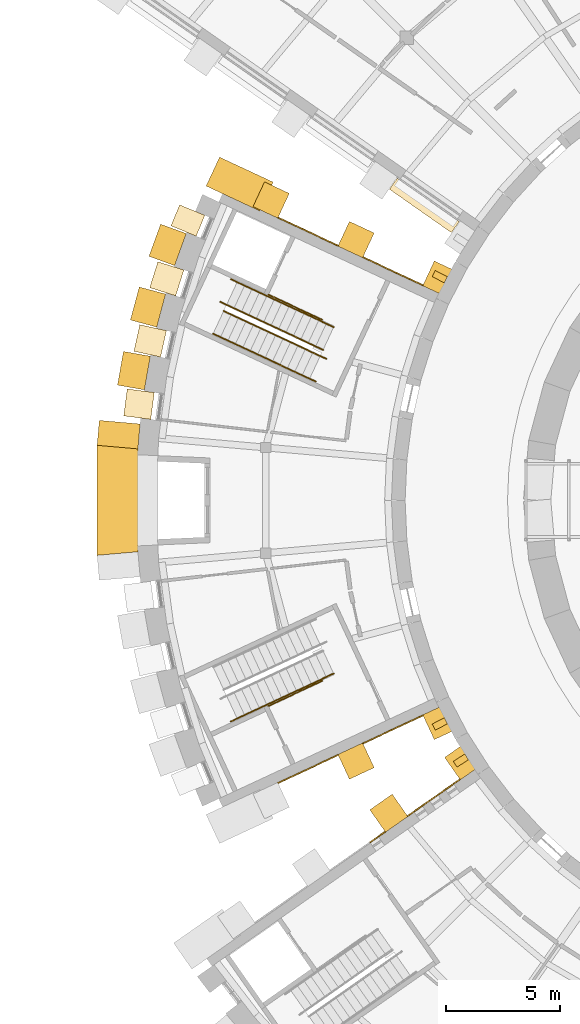
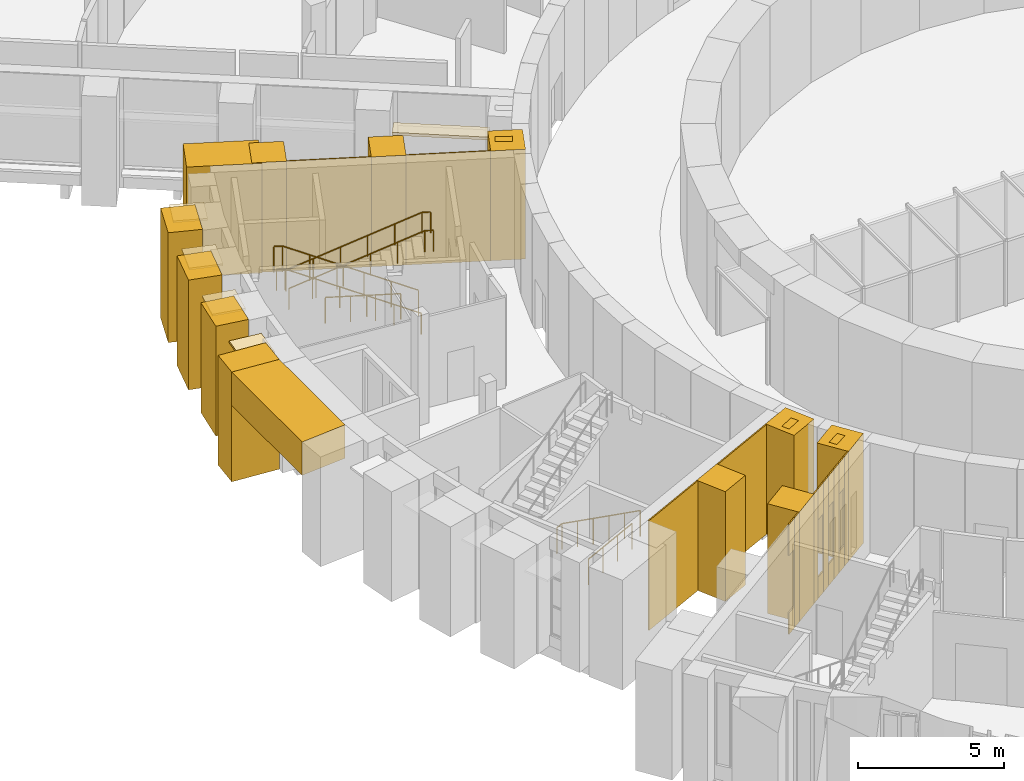
# One storey, part 68 of 85: 38 coverings, 7 railings.
"""IFC4 building model written with IfcOpenShell, lengths in metres."""

import ifcopenshell
import ifcopenshell.guid

model = None  # the IFC model being written
_history = None  # IfcOwnerHistory: only IFC2X3 demands one
_inside = {}  # id of a spatial element -> (the spatial element, [elements in it])
_under = {}  # id of a project, library or spatial element -> (it, [spatial elements below it])
_declared = {}  # id of a project -> (the project, [libraries it declares])
_typed = {}  # id of a type object -> (the type object, [elements of that type])
_made_of = {}  # id of a material, layer set ... -> (it, [elements and type objects made of it])


def new_model(schema):
    """Start an empty IFC model of exactly this schema.

    Asked for "IFC4X3", IfcOpenShell would pick the latest addendum, in which some entities
    have other attributes; the version numbers below select the first issue.
    IFC2X3 requires an IfcOwnerHistory on every rooted entity: one is made here for all.
    """
    global model, _history
    if schema == "IFC4X3":
        model = ifcopenshell.file(schema_version=(4, 3, 0, 0))
    else:
        model = ifcopenshell.file(schema=schema)
    _inside.clear()
    _under.clear()
    _declared.clear()
    _typed.clear()
    _made_of.clear()
    _history = None
    if model.schema == "IFC2X3":
        org = make("IfcOrganization", Name="unknown")
        user = make(
            "IfcPersonAndOrganization",
            ThePerson=make("IfcPerson", FamilyName="unknown"),
            TheOrganization=org,
        )
        app = make(
            "IfcApplication",
            ApplicationDeveloper=org,
            Version="unknown",
            ApplicationFullName="unknown",
            ApplicationIdentifier="unknown",
        )
        _history = make(
            "IfcOwnerHistory",
            OwningUser=user,
            OwningApplication=app,
            ChangeAction="ADDED",
            CreationDate=0,
        )
    return model


def make(cls, **values):
    """One entity of the class cls with the attributes given. An attribute that is None is left unset."""
    return model.create_entity(
        cls, **{name: value for name, value in values.items() if value is not None}
    )


def rooted(cls, **values):
    """An entity with a GlobalId (a new one), such as an element, a storey or a relation."""
    return make(cls, GlobalId=ifcopenshell.guid.new(), OwnerHistory=_history, **values)


def si_unit(unit_type, name, prefix=None):
    """IfcSIUnit, for example si_unit("LENGTHUNIT", "METRE", prefix="MILLI")."""
    return make("IfcSIUnit", UnitType=unit_type, Prefix=prefix, Name=name)


def assignment(units):
    """IfcUnitAssignment: the units of a project."""
    return None if units is None else make("IfcUnitAssignment", Units=units)


def point(xyz):
    """IfcCartesianPoint."""
    return None if xyz is None else make("IfcCartesianPoint", Coordinates=xyz)


def direction(xyz):
    """IfcDirection."""
    return None if xyz is None else make("IfcDirection", DirectionRatios=xyz)


def frame(location, z_axis=None, x_axis=None):
    """IfcAxis2Placement3D, a coordinate frame: its origin and axes. An axis left out is left unset."""
    return make(
        "IfcAxis2Placement3D",
        Location=point(location),
        Axis=direction(z_axis),
        RefDirection=direction(x_axis),
    )


def frame_2d(location, x_axis=None):
    """IfcAxis2Placement2D, a coordinate frame in the plane: its origin and x axis."""
    return make(
        "IfcAxis2Placement2D", Location=point(location), RefDirection=direction(x_axis)
    )


def origin():
    """The frame at (0, 0, 0) with its axes left unset."""
    return frame((0.0, 0.0, 0.0))


def origin_2d():
    """The frame at (0, 0) in the plane with its x axis left unset."""
    return frame_2d((0.0, 0.0))


def place(relative_to, where):
    """IfcLocalPlacement: puts the frame where relative to a parent placement (None: the world)."""
    return make(
        "IfcLocalPlacement", PlacementRelTo=relative_to, RelativePlacement=where
    )


def context(
    kind, dimensions, precision=None, world=None, true_north=None, identifier=None
):
    """IfcGeometricRepresentationContext, for example the 3D "Model" context."""
    return make(
        "IfcGeometricRepresentationContext",
        ContextIdentifier=identifier,
        ContextType=kind,
        CoordinateSpaceDimension=dimensions,
        Precision=precision,
        WorldCoordinateSystem=world,
        TrueNorth=true_north,
    )


def subcontext(parent, identifier, kind, view, scale=None):
    """IfcGeometricRepresentationSubContext, for example "Body" below "Model"."""
    return make(
        "IfcGeometricRepresentationSubContext",
        ContextIdentifier=identifier,
        ContextType=kind,
        ParentContext=parent,
        TargetScale=scale,
        TargetView=view,
    )


def project(units=None, contexts=None):
    """IfcProject with its units and contexts."""
    return rooted(
        "IfcProject",
        Name="project",
        RepresentationContexts=contexts,
        UnitsInContext=assignment(units),
    )


def spatial(cls, under=None, at=None, **own):
    """A site, building, storey or space (cls), placed at a placement, below another one or the project."""
    s = rooted(cls, ObjectPlacement=at, **own)
    if under is not None:
        _under.setdefault(under.id(), (under, []))[1].append(s)
    return s


def polyline(points):
    """IfcPolyline through the points."""
    return make("IfcPolyline", Points=[point(p) for p in points])


def profile(cls, at=None, kind="AREA", **sizes):
    """A parametric profile (cls). Its sizes go by their IFC names, for example OverallWidth=200.0."""
    return make(cls, ProfileType=kind, Position=at, **sizes)


def rectangle(**sizes):
    """IfcRectangleProfileDef."""
    return profile("IfcRectangleProfileDef", **sizes)


def circle(**sizes):
    """IfcCircleProfileDef."""
    return profile("IfcCircleProfileDef", **sizes)


def outline(outer, holes=None, kind="AREA"):
    """IfcArbitraryClosedProfileDef: a profile drawn as a closed curve; with holes, ...WithVoids."""
    if holes is None:
        return make("IfcArbitraryClosedProfileDef", ProfileType=kind, OuterCurve=outer)
    return make(
        "IfcArbitraryProfileDefWithVoids",
        ProfileType=kind,
        OuterCurve=outer,
        InnerCurves=holes,
    )


def extrude(swept, where, along, depth):
    """IfcExtrudedAreaSolid: the profile swept, set in the frame where, extruded along a direction by depth."""
    return make(
        "IfcExtrudedAreaSolid",
        SweptArea=swept,
        Position=where,
        ExtrudedDirection=direction(along),
        Depth=depth,
    )


def shape(context_of_items, identifier, shape_type, items):
    """IfcShapeRepresentation: the items that make up one representation, for example the "Body"."""
    return make(
        "IfcShapeRepresentation",
        ContextOfItems=context_of_items,
        RepresentationIdentifier=identifier,
        RepresentationType=shape_type,
        Items=items,
    )


def material(Name=None, Category=None):
    """IfcMaterial."""
    return make("IfcMaterial", Name=Name, Category=Category)


def layer(
    of_material, thickness, ventilated=None, Name=None, Category=None, Priority=None
):
    """IfcMaterialLayer: one layer of a wall or slab, of a material (None: an air gap)."""
    return make(
        "IfcMaterialLayer",
        Material=of_material,
        LayerThickness=thickness,
        IsVentilated=ventilated,
        Name=Name,
        Category=Category,
        Priority=Priority,
    )


def layer_set(layers, Name=None):
    """IfcMaterialLayerSet."""
    return make("IfcMaterialLayerSet", MaterialLayers=layers, LayerSetName=Name)


def made_of(thing, what):
    """Note that an element or type object is made of a material, layer set ...; save() writes the relation."""
    if what is not None:
        _made_of.setdefault(what.id(), (what, []))[1].append(thing)
    return thing


def type_object(cls, material=None, **own):
    """A type object (cls), such as IfcWallType, which elements share."""
    return made_of(rooted(cls, **own), material)


def element(
    cls,
    number,
    at=None,
    inside=None,
    cuts=None,
    type_object=None,
    material=None,
    context=None,
    identifier="Body",
    shape_type=None,
    held_by="IfcProductDefinitionShape",
    body=None,
    shapes=None,
    **own,
):
    """One element of the class cls, such as IfcWall. Its Tag is "e" and its number.

    at: its placement. inside: the storey or other place that contains it. cuts: it is an
    opening in that element (IfcRelVoidsElement). A single representation is given by context,
    identifier, shape_type and body (its items); several are given by shapes. held_by: the class
    of the entity that holds the representations. save() writes the other relations.
    """
    e = rooted(cls, Tag="e%d" % number, ObjectPlacement=at, **own)
    if body is not None:
        shapes = [shape(context, identifier, shape_type, body)]
    if shapes is not None:
        e.Representation = make(held_by, Representations=shapes)
    if inside is not None:
        _inside.setdefault(inside.id(), (inside, []))[1].append(e)
    if cuts is not None:
        rooted(
            "IfcRelVoidsElement", RelatingBuildingElement=cuts, RelatedOpeningElement=e
        )
    if type_object is not None:
        _typed.setdefault(type_object.id(), (type_object, []))[1].append(e)
    return made_of(e, material)


def aggregate(whole, parts):
    """IfcRelAggregates: a whole, such as a stair, and the parts it consists of."""
    return rooted("IfcRelAggregates", RelatingObject=whole, RelatedObjects=parts)


def save(model, path):
    """Write the relations noted so far, then the file.

    IfcRelAggregates (storeys below a building ...), IfcRelContainedInSpatialStructure (elements
    in a storey), IfcRelDefinesByType, IfcRelAssociatesMaterial and IfcRelDeclares: one each for
    every whole, place, type object, material and project.
    """
    for whole, parts in _under.values():
        aggregate(whole, parts)
    for where, things in _inside.values():
        rooted(
            "IfcRelContainedInSpatialStructure",
            RelatedElements=things,
            RelatingStructure=where,
        )
    for kind, things in _typed.values():
        rooted("IfcRelDefinesByType", RelatedObjects=things, RelatingType=kind)
    for what, things in _made_of.values():
        rooted("IfcRelAssociatesMaterial", RelatedObjects=things, RelatingMaterial=what)
    for by, libraries in _declared.values():
        rooted("IfcRelDeclares", RelatingContext=by, RelatedDefinitions=libraries)
    model.write(path)


model = new_model("IFC4")

# Units and contexts
model_context = context("Model", 3, precision=1e-05, world=origin(), true_north=direction((0.0, 1.0)))
body_context = subcontext(model_context, "Body", "Model", "MODEL_VIEW")
ifc_project = project(units=[si_unit("LENGTHUNIT", "METRE"), si_unit("AREAUNIT", "SQUARE_METRE"), si_unit("VOLUMEUNIT", "CUBIC_METRE"), si_unit("PLANEANGLEUNIT", "RADIAN"), si_unit("MASSUNIT", "GRAM", prefix="KILO")], contexts=[model_context])

# Site, building, storey
site_placement = place(None, origin())
site = spatial("IfcSite", under=ifc_project, at=site_placement, CompositionType="ELEMENT")
building_placement = place(site_placement, origin())
building = spatial("IfcBuilding", under=site, at=building_placement, Name="Volute Hill Aquarium", CompositionType="ELEMENT")
storey_placement = place(building_placement, origin())
storey = spatial("IfcBuildingStorey", under=building, at=storey_placement, Name="L01", CompositionType="ELEMENT", Elevation=0.0)

# Coverings
ifc_material_1 = material(Name="Precast pale concrete C40/50", Category="concrete")
covering_type_1 = type_object("IfcCoveringType", Name="Drum pier fin 300x600", PredefinedType="CLADDING", material=ifc_material_1)
for number, where, z_axis, x_axis, name in (
    (1, (-18.8759765625, 9.826171875, 0.0), (0.0, 0.0, 1.0), (-0.461748613235, -0.887010833178, 0.0), "Drum pier fin DF 31 L01"),
    (2, (-18.8759765625, -9.826171875, 0.0), (0.0, 0.0, 1.0), (0.461748613235, -0.887010833178, 0.0), "Drum pier fin DF 42 L01"),
    (3, (-17.947509765625, -11.433837890625, 0.0), (0.0, 0.0, 1.0), (0.537299608347, -0.843391445813, 0.0), "Drum pier fin DF 43 L01"),
):
    element("IfcCovering", number, at=place(storey_placement, frame(where, z_axis=z_axis, x_axis=x_axis)), inside=storey, type_object=covering_type_1, Name=name, PredefinedType="CLADDING", context=body_context, shape_type="SweptSolid", body=[
        extrude(rectangle(XDim=0.300048828125, YDim=0.60009765625, at=origin_2d()), origin(), (0.0, 0.0, 1.0), 4.60009765625),
    ])
ifc_material_2 = material(Name="Precast concrete C40/50", Category="concrete")
covering_type_2 = type_object("IfcCoveringType", Name="End wall precast fin C40/50 1200x1200", PredefinedType="CLADDING", material=ifc_material_2)
for number, where, z_axis, x_axis, name in (
    (4, (-18.8271484375, 9.717041015625, 0.0), (0.0, 0.0, 1.0), (-0.906304180904, 0.42262599503, 0.0), "End wall fin EWF S1A L01 1"),
    (5, (-22.556640625, 11.456298828125, 0.0), (0.0, 0.0, 1.0), (-0.906304180904, 0.42262599503, 0.0), "End wall fin EWF S1A L01 2"),
    (6, (-26.2861328125, 13.1953125, 0.0), (0.0, 0.0, 1.0), (-0.906304180904, 0.42262599503, 0.0), "End wall fin EWF S1A L01 3"),
    (7, (-18.8271484375, -9.717041015625, 0.0), (0.0, 0.0, 1.0), (-0.906304180904, -0.42262599503, 0.0), "End wall fin EWF S1B L01 1"),
    (8, (-22.556640625, -11.456298828125, 0.0), (0.0, 0.0, 1.0), (-0.906304180904, -0.42262599503, 0.0), "End wall fin EWF S1B L01 2"),
    (9, (-17.828857421875, -11.4462890625, 0.0), (0.0, 0.0, 1.0), (-0.81915382895, -0.573573887583, 0.0), "End wall fin EWF S2A L01 1"),
    (10, (-21.11376953125, -13.746337890625, 0.0), (0.0, 0.0, 1.0), (-0.81915382895, -0.573573887583, 0.0), "End wall fin EWF S2A L01 2"),
):
    element("IfcCovering", number, at=place(storey_placement, frame(where, z_axis=z_axis, x_axis=x_axis)), inside=storey, type_object=covering_type_2, Name=name, PredefinedType="CLADDING", context=body_context, shape_type="SweptSolid", body=[
        extrude(rectangle(XDim=1.199951171875, YDim=1.199951171875, at=origin_2d()), origin(), (0.0, 0.0, 1.0), 4.60009765625),
    ])
ifc_material_3 = material(Name="Precast concrete C40/50", Category="concrete")
ifc_layer_1 = layer(ifc_material_3, 0.050048828125)
ifc_layer_set_1 = layer_set([ifc_layer_1], Name="End wall precast infill panel C40/50 50")
covering_type_3 = type_object("IfcCoveringType", Name="End wall precast infill panel C40/50 50", PredefinedType="CLADDING", material=ifc_layer_set_1)
for number, where, z_axis, x_axis, name in (
    (11, (-19.603515625, 9.472412109375, 0.0), (0.422624097709, 0.906305065657, 0.0), (-0.906305065657, 0.422624097709, 0.0), "End wall panel EWP S1A L01 1"),
    (12, (-23.3330078125, 11.21142578125, 0.0), (0.422624097709, 0.906305065657, 0.0), (-0.906305065657, 0.422624097709, 0.0), "End wall panel EWP S1A L01 2"),
    (13, (-19.62451171875, -9.427001953125, 0.0), (-0.422624097709, 0.906305065657, 0.0), (-0.906305065657, -0.422624097709, 0.0), "End wall panel EWP S1B L01 1"),
    (14, (-23.35400390625, -11.166015625, 0.0), (-0.422624097709, 0.906305065657, 0.0), (-0.906305065657, -0.422624097709, 0.0), "End wall panel EWP S1B L01 2"),
):
    element("IfcCovering", number, at=place(storey_placement, frame(where, z_axis=z_axis, x_axis=x_axis)), inside=storey, type_object=covering_type_3, Name=name, PredefinedType="CLADDING", context=body_context, shape_type="SweptSolid", body=[
        extrude(outline(polyline([(0.0, 0.0), (2.9149629669225328, 0.0), (2.9149629669225328, 4.60009765625), (0.0, 4.60009765625), (0.0, 0.0)])), origin(), (0.0, 0.0, -1.0), 0.050048828125),
    ])
covering_1_placement = place(storey_placement, frame((-18.005126953125, -12.240966796875, 0.0), z_axis=(-0.573948607453, 0.81889132124, 0.0), x_axis=(-0.81889132124, -0.573948607453, 0.0)))
element("IfcCovering", 15, at=covering_1_placement, inside=storey, type_object=covering_type_3, Name="End wall panel EWP S2A L01 1", PredefinedType="CLADDING", context=body_context, shape_type="SweptSolid", body=[
    extrude(outline(polyline([(0.0, 0.0), (0.3368931860606369, 0.0), (0.3368931860606369, 4.60009765625), (0.0, 4.60009765625), (0.0, 0.0)])), origin(), (0.0, 0.0, -1.0), 0.050048828125),
])
covering_2_placement = place(storey_placement, frame((-18.281005859375, -12.434326171875, 0.0), z_axis=(-0.573462344363, 0.819231920519, 0.0), x_axis=(-0.819231920519, -0.573462344363, 0.0)))
element("IfcCovering", 16, at=covering_2_placement, inside=storey, type_object=covering_type_3, Name="End wall panel EWP S2A L01 1", PredefinedType="CLADDING", context=body_context, shape_type="SweptSolid", body=[
    extrude(outline(polyline([(0.0, 0.0), (0.4499975336854954, 0.0), (0.4499975336854954, 0.89990234375), (0.0, 0.89990234375), (0.0, 0.0)])), origin(), (0.0, 0.0, -1.0), 0.050048828125),
])
covering_3_placement = place(storey_placement, frame((-18.281005859375, -12.434326171875, 3.300048828125), z_axis=(-0.573462344363, 0.819231920519, 0.0), x_axis=(-0.819231920519, -0.573462344363, 0.0)))
element("IfcCovering", 17, at=covering_3_placement, inside=storey, type_object=covering_type_3, Name="End wall panel EWP S2A L01 1", PredefinedType="CLADDING", context=body_context, shape_type="SweptSolid", body=[
    extrude(outline(polyline([(0.0, 0.0), (0.4499975336854954, 0.0), (0.4499975336854954, 1.300048828125), (0.0, 1.300048828125), (0.0, 0.0)])), origin(), (0.0, 0.0, -1.0), 0.050048828125),
])
covering_4_placement = place(storey_placement, frame((-18.649658203125, -12.6923828125, 0.0), z_axis=(-0.573337270471, 0.819319458019, 0.0), x_axis=(-0.819319458019, -0.573337270471, 0.0)))
element("IfcCovering", 18, at=covering_4_placement, inside=storey, type_object=covering_type_3, Name="End wall panel EWP S2A L01 1", PredefinedType="CLADDING", context=body_context, shape_type="SweptSolid", body=[
    extrude(outline(polyline([(0.0, 0.0), (0.39303531879200393, 0.0), (0.39303531879200393, 4.60009765625), (0.0, 4.60009765625), (0.0, 0.0)])), origin(), (0.0, 0.0, -1.0), 0.050048828125),
])
covering_5_placement = place(storey_placement, frame((-18.9716796875, -12.917724609375, 0.0), z_axis=(-0.573462344363, 0.819231920519, 0.0), x_axis=(-0.819231920519, -0.573462344363, 0.0)))
element("IfcCovering", 19, at=covering_5_placement, inside=storey, type_object=covering_type_3, Name="End wall panel EWP S2A L01 1", PredefinedType="CLADDING", context=body_context, shape_type="SweptSolid", body=[
    extrude(outline(polyline([(0.0, 0.0), (0.4499975336854954, 0.0), (0.4499975336854954, 0.89990234375), (0.0, 0.89990234375), (0.0, 0.0)])), origin(), (0.0, 0.0, -1.0), 0.050048828125),
])
covering_6_placement = place(storey_placement, frame((-18.9716796875, -12.917724609375, 3.300048828125), z_axis=(-0.573462344363, 0.819231920519, 0.0), x_axis=(-0.819231920519, -0.573462344363, 0.0)))
element("IfcCovering", 20, at=covering_6_placement, inside=storey, type_object=covering_type_3, Name="End wall panel EWP S2A L01 1", PredefinedType="CLADDING", context=body_context, shape_type="SweptSolid", body=[
    extrude(outline(polyline([(0.0, 0.0), (0.4499975336854954, 0.0), (0.4499975336854954, 1.300048828125), (0.0, 1.300048828125), (0.0, 0.0)])), origin(), (0.0, 0.0, -1.0), 0.050048828125),
])
covering_7_placement = place(storey_placement, frame((-19.34033203125, -13.17578125, 0.0), z_axis=(-0.574045934737, 0.818823097385, 0.0), x_axis=(-0.818823097385, -0.574045934737, 0.0)))
element("IfcCovering", 21, at=covering_7_placement, inside=storey, type_object=covering_type_3, Name="End wall panel EWP S2A L01 1", PredefinedType="CLADDING", context=body_context, shape_type="SweptSolid", body=[
    extrude(outline(polyline([(0.0, 0.0), (0.39297541163355193, 0.0), (0.39297541163355193, 4.60009765625), (0.0, 4.60009765625), (0.0, 0.0)])), origin(), (0.0, 0.0, -1.0), 0.050048828125),
])
covering_8_placement = place(storey_placement, frame((-19.662109375, -13.4013671875, 0.0), z_axis=(-0.573462344363, 0.819231920519, 0.0), x_axis=(-0.819231920519, -0.573462344363, 0.0)))
element("IfcCovering", 22, at=covering_8_placement, inside=storey, type_object=covering_type_3, Name="End wall panel EWP S2A L01 1", PredefinedType="CLADDING", context=body_context, shape_type="SweptSolid", body=[
    extrude(outline(polyline([(0.0, 0.0), (0.4499975336854954, 0.0), (0.4499975336854954, 0.89990234375), (0.0, 0.89990234375), (0.0, 0.0)])), origin(), (0.0, 0.0, -1.0), 0.050048828125),
])
covering_9_placement = place(storey_placement, frame((-19.662109375, -13.4013671875, 3.300048828125), z_axis=(-0.573462344363, 0.819231920519, 0.0), x_axis=(-0.819231920519, -0.573462344363, 0.0)))
element("IfcCovering", 23, at=covering_9_placement, inside=storey, type_object=covering_type_3, Name="End wall panel EWP S2A L01 1", PredefinedType="CLADDING", context=body_context, shape_type="SweptSolid", body=[
    extrude(outline(polyline([(0.0, 0.0), (0.4499975336854954, 0.0), (0.4499975336854954, 1.300048828125), (0.0, 1.300048828125), (0.0, 0.0)])), origin(), (0.0, 0.0, -1.0), 0.050048828125),
])
covering_10_placement = place(storey_placement, frame((-20.03076171875, -13.659423828125, 0.0), z_axis=(-0.573608157975, 0.819129831653, 0.0), x_axis=(-0.819129831653, -0.573608157975, 0.0)))
element("IfcCovering", 24, at=covering_10_placement, inside=storey, type_object=covering_type_3, Name="End wall panel EWP S2A L01 1", PredefinedType="CLADDING", context=body_context, shape_type="SweptSolid", body=[
    extrude(outline(polyline([(0.0, 0.0), (0.3370931398232899, 0.0), (0.3370931398232899, 4.60009765625), (0.0, 4.60009765625), (0.0, 0.0)])), origin(), (0.0, 0.0, -1.0), 0.050048828125),
])
covering_11_placement = place(storey_placement, frame((-21.289794921875, -14.541015625, 0.0), z_axis=(-0.573283790503, 0.819356879233, 0.0), x_axis=(-0.819356879233, -0.573283790503, 0.0)))
element("IfcCovering", 25, at=covering_11_placement, inside=storey, type_object=covering_type_3, Name="End wall panel EWP S2A L01 2", PredefinedType="CLADDING", context=body_context, shape_type="SweptSolid", body=[
    extrude(outline(polyline([(0.0, 0.0), (0.3670943121652089, 0.0), (0.3670943121652089, 4.60009765625), (0.0, 4.60009765625), (0.0, 0.0)])), origin(), (0.0, 0.0, -1.0), 0.050048828125),
])
covering_12_placement = place(storey_placement, frame((-21.590576171875, -14.75146484375, 0.0), z_axis=(-0.573717313389, 0.819053383069, 0.0), x_axis=(-0.819053383069, -0.573717313389, 0.0)))
element("IfcCovering", 26, at=covering_12_placement, inside=storey, type_object=covering_type_3, Name="End wall panel EWP S2A L01 2", PredefinedType="CLADDING", context=body_context, shape_type="SweptSolid", body=[
    extrude(outline(polyline([(0.0, 0.0), (0.44979754768167834, 0.0), (0.44979754768167834, 0.8999023437499999), (0.0, 0.8999023437499999), (0.0, 0.0)])), origin(), (0.0, 0.0, -1.0), 0.050048828125),
])
covering_13_placement = place(storey_placement, frame((-21.590576171875, -14.75146484375, 3.300048828125), z_axis=(-0.573717313389, 0.819053383069, 0.0), x_axis=(-0.819053383069, -0.573717313389, 0.0)))
element("IfcCovering", 27, at=covering_13_placement, inside=storey, type_object=covering_type_3, Name="End wall panel EWP S2A L01 2", PredefinedType="CLADDING", context=body_context, shape_type="SweptSolid", body=[
    extrude(outline(polyline([(0.0, 0.0), (0.44979754768167834, 0.0), (0.44979754768167834, 1.3000488281249998), (0.0, 1.3000488281249998), (0.0, 0.0)])), origin(), (0.0, 0.0, -1.0), 0.050048828125),
])
ifc_material_4 = material(Name="Precast concrete C40/50", Category="concrete")
ifc_layer_2 = layer(ifc_material_4, 0.1201171875)
ifc_layer_set_2 = layer_set([ifc_layer_2], Name="End wall window head blade precast C40/50 600x120")
covering_type_4 = type_object("IfcCoveringType", Name="End wall window head blade precast C40/50 600x120", PredefinedType="CLADDING", material=ifc_layer_set_2)
covering_14_placement = place(storey_placement, frame((-19.5546875, 12.959716796875, 3.199951171875), z_axis=(0.0, 0.0, 1.0), x_axis=(-0.819151442029, 0.573577296467, 0.0)))
element("IfcCovering", 28, at=covering_14_placement, inside=storey, type_object=covering_type_4, Name="End wall window head blade EWB S6B L01 1.1", PredefinedType="CLADDING", context=body_context, shape_type="SweptSolid", body=[
    extrude(rectangle(XDim=3.3232421875, YDim=0.60009765625, at=origin_2d()), origin(), (0.0, 0.0, 1.0), 0.1201171875),
])

# Railings
ifc_material_5 = material(Name="Stainless steel 1.4301", Category="steel")
railing_type_1 = type_object("IfcRailingType", Name="Guard 1100 stainless", PredefinedType="GUARDRAIL", material=ifc_material_5)
railing_1_placement = place(storey_placement, frame((-26.4052734375, 9.035888671875, 0.0)))
element("IfcRailing", 29, at=railing_1_placement, inside=storey, type_object=railing_type_1, Name="gd/S1-A/L01/edge", PredefinedType="GUARDRAIL", context=body_context, shape_type="SweptSolid", body=[
    extrude(circle(Radius=0.02392578125, at=origin_2d()), frame((0.0, 0.0, 1.076171875), z_axis=(0.906300648467, -0.422633570115, 0.0), x_axis=(0.422633570115, 0.906300648467, 0.0)), (0.0, 0.0, 1.0), 2.60009765625),
    extrude(circle(Radius=0.02099609375, at=origin_2d()), origin(), (0.0, 0.0, 1.0), 1.052001953125),
    extrude(circle(Radius=0.02099609375, at=origin_2d()), frame((0.785400390625, -0.3662109375, 0.0)), (0.0, 0.0, 1.0), 1.052001953125),
    extrude(circle(Radius=0.02099609375, at=origin_2d()), frame((1.571044921875, -0.732666015625, 0.0)), (0.0, 0.0, 1.0), 1.052001953125),
    extrude(circle(Radius=0.02099609375, at=origin_2d()), frame((2.3564453125, -1.098876953125, 0.0)), (0.0, 0.0, 1.0), 1.052001953125),
])
railing_2_placement = place(storey_placement, frame((-23.538818359375, 7.611083984375, 0.164306640625)))
element("IfcRailing", 30, at=railing_2_placement, inside=storey, type_object=railing_type_1, Name="gd/S1-A/L01/1", PredefinedType="GUARDRAIL", context=body_context, shape_type="SweptSolid", body=[
    extrude(circle(Radius=0.02392578125, at=origin_2d()), frame((0.0, 0.0, 1.076171875), z_axis=(-0.82452465482, 0.384452298187, 0.415157228063), x_axis=(-0.422591299157, -0.906320359407, 0.0)), (0.0, 0.0, 1.0), 5.14453125),
    extrude(circle(Radius=0.02392578125, at=origin_2d()), frame((-4.24169921875, 1.977783203125, 3.2119140625), z_axis=(-0.905995887789, 0.423286488455, 0.0), x_axis=(-0.423286488455, -0.905995887789, 0.0)), (0.0, 0.0, 1.0), 0.2998046875),
    extrude(circle(Radius=0.02099609375, at=origin_2d()), origin(), (0.0, 0.0, 1.0), 1.052001953125),
    extrude(circle(Radius=0.02099609375, at=origin_2d()), frame((-0.848388671875, 0.3955078125, 0.42724609375)), (0.0, 0.0, 1.0), 1.052001953125),
    extrude(circle(Radius=0.02099609375, at=origin_2d()), frame((-1.69677734375, 0.791015625, 0.854248046875)), (0.0, 0.0, 1.0), 1.052001953125),
    extrude(circle(Radius=0.02099609375, at=origin_2d()), frame((-2.544921875, 1.186767578125, 1.281494140625)), (0.0, 0.0, 1.0), 1.052001953125),
    extrude(circle(Radius=0.02099609375, at=origin_2d()), frame((-3.393310546875, 1.582275390625, 1.70849609375)), (0.0, 0.0, 1.0), 1.052001953125),
    extrude(circle(Radius=0.02099609375, at=origin_2d()), frame((-4.24169921875, 1.977783203125, 2.1357421875)), (0.0, 0.0, 1.0), 1.052001953125),
    extrude(circle(Radius=0.02099609375, at=origin_2d()), frame((-4.513427734375, 2.104736328125, 2.1357421875)), (0.0, 0.0, 1.0), 1.052001953125),
])
railing_3_placement = place(storey_placement, frame((-26.4052734375, -9.035888671875, 0.0)))
element("IfcRailing", 31, at=railing_3_placement, inside=storey, type_object=railing_type_1, Name="gd/S1-B/L01/edge", PredefinedType="GUARDRAIL", context=body_context, shape_type="SweptSolid", body=[
    extrude(circle(Radius=0.02392578125, at=origin_2d()), frame((0.0, 0.0, 1.076171875), z_axis=(0.906300648467, 0.422633570115, 0.0), x_axis=(-0.422633570115, 0.906300648467, 0.0)), (0.0, 0.0, 1.0), 2.60009765625),
    extrude(circle(Radius=0.02099609375, at=origin_2d()), origin(), (0.0, 0.0, 1.0), 1.052001953125),
    extrude(circle(Radius=0.02099609375, at=origin_2d()), frame((0.785400390625, 0.3662109375, 0.0)), (0.0, 0.0, 1.0), 1.052001953125),
    extrude(circle(Radius=0.02099609375, at=origin_2d()), frame((1.571044921875, 0.732666015625, 0.0)), (0.0, 0.0, 1.0), 1.052001953125),
    extrude(circle(Radius=0.02099609375, at=origin_2d()), frame((2.3564453125, 1.098876953125, 0.0)), (0.0, 0.0, 1.0), 1.052001953125),
])
railing_4_placement = place(storey_placement, frame((-23.538818359375, -7.611083984375, 0.164306640625)))
element("IfcRailing", 32, at=railing_4_placement, inside=storey, type_object=railing_type_1, Name="gd/S1-B/L01/1", PredefinedType="GUARDRAIL", context=body_context, shape_type="SweptSolid", body=[
    extrude(circle(Radius=0.02392578125, at=origin_2d()), frame((0.0, 0.0, 1.076171875), z_axis=(-0.82452465482, -0.384452298187, 0.415157228063), x_axis=(0.422591299157, -0.906320359407, 0.0)), (0.0, 0.0, 1.0), 5.14453125),
    extrude(circle(Radius=0.02392578125, at=origin_2d()), frame((-4.24169921875, -1.977783203125, 3.2119140625), z_axis=(-0.905995887789, -0.423286488455, 0.0), x_axis=(0.423286488455, -0.905995887789, 0.0)), (0.0, 0.0, 1.0), 0.2998046875),
    extrude(circle(Radius=0.02099609375, at=origin_2d()), origin(), (0.0, 0.0, 1.0), 1.052001953125),
    extrude(circle(Radius=0.02099609375, at=origin_2d()), frame((-0.848388671875, -0.3955078125, 0.42724609375)), (0.0, 0.0, 1.0), 1.052001953125),
    extrude(circle(Radius=0.02099609375, at=origin_2d()), frame((-1.69677734375, -0.791015625, 0.854248046875)), (0.0, 0.0, 1.0), 1.052001953125),
    extrude(circle(Radius=0.02099609375, at=origin_2d()), frame((-2.544921875, -1.186767578125, 1.281494140625)), (0.0, 0.0, 1.0), 1.052001953125),
    extrude(circle(Radius=0.02099609375, at=origin_2d()), frame((-3.393310546875, -1.582275390625, 1.70849609375)), (0.0, 0.0, 1.0), 1.052001953125),
    extrude(circle(Radius=0.02099609375, at=origin_2d()), frame((-4.24169921875, -1.977783203125, 2.1357421875)), (0.0, 0.0, 1.0), 1.052001953125),
    extrude(circle(Radius=0.02099609375, at=origin_2d()), frame((-4.513427734375, -2.104736328125, 2.1357421875)), (0.0, 0.0, 1.0), 1.052001953125),
])
ifc_material_6 = material(Name="Stainless steel 1.4301", Category="steel")
railing_type_2 = type_object("IfcRailingType", Name="Handrail 48 stainless", PredefinedType="HANDRAIL", material=ifc_material_6)
railing_5_placement = place(storey_placement, frame((-24.003662109375, 6.614013671875, 0.164306640625)))
element("IfcRailing", 33, at=railing_5_placement, inside=storey, type_object=railing_type_2, Name="hr/S1-A/L01/2", PredefinedType="HANDRAIL", context=body_context, shape_type="SweptSolid", body=[
    extrude(circle(Radius=0.02392578125, at=origin_2d()), frame((0.0, 0.0, 0.8759765625), z_axis=(-0.824494415061, 0.384507785116, 0.415165897827), x_axis=(-0.422654128672, -0.906291061148, 0.0)), (0.0, 0.0, 1.0), 5.144287109375),
    extrude(circle(Radius=0.02392578125, at=origin_2d()), frame((-4.241455078125, 1.97802734375, 3.01171875), z_axis=(-0.906453195831, 0.422306291415, 0.0), x_axis=(-0.422306291415, -0.906453195831, 0.0)), (0.0, 0.0, 1.0), 0.300048828125),
    extrude(circle(Radius=0.02099609375, at=origin_2d()), origin(), (0.0, 0.0, 1.0), 0.851806640625),
    extrude(circle(Radius=0.02099609375, at=origin_2d()), frame((-0.848388671875, 0.3955078125, 0.42724609375)), (0.0, 0.0, 1.0), 0.851806640625),
    extrude(circle(Radius=0.02099609375, at=origin_2d()), frame((-1.696533203125, 0.791259765625, 0.854248046875)), (0.0, 0.0, 1.0), 0.851806640625),
    extrude(circle(Radius=0.02099609375, at=origin_2d()), frame((-2.544921875, 1.186767578125, 1.281494140625)), (0.0, 0.0, 1.0), 0.851806640625),
    extrude(circle(Radius=0.02099609375, at=origin_2d()), frame((-3.39306640625, 1.58251953125, 1.70849609375)), (0.0, 0.0, 1.0), 0.851806640625),
    extrude(circle(Radius=0.02099609375, at=origin_2d()), frame((-4.241455078125, 1.97802734375, 2.1357421875)), (0.0, 0.0, 1.0), 0.851806640625),
    extrude(circle(Radius=0.02099609375, at=origin_2d()), frame((-4.513427734375, 2.104736328125, 2.1357421875)), (0.0, 0.0, 1.0), 0.851806640625),
])
railing_6_placement = place(storey_placement, frame((-28.3720703125, 8.320068359375, 2.46435546875)))
element("IfcRailing", 34, at=railing_6_placement, inside=storey, type_object=railing_type_2, Name="hr/S1-A/L01/3", PredefinedType="HANDRAIL", context=body_context, shape_type="SweptSolid", body=[
    extrude(circle(Radius=0.02392578125, at=origin_2d()), frame((0.0, 0.0, 0.8759765625), z_axis=(0.824509460014, -0.384467342173, 0.415173473563), x_axis=(0.42261127948, 0.906311042885, 0.0)), (0.0, 0.0, 1.0), 5.144287109375),
    extrude(circle(Radius=0.02392578125, at=origin_2d()), frame((4.241455078125, -1.977783203125, 3.01171875), z_axis=(0.906141574394, -0.422974523056, 0.0), x_axis=(0.422974523056, 0.906141574394, 0.0)), (0.0, 0.0, 1.0), 0.300048828125),
    extrude(circle(Radius=0.02099609375, at=origin_2d()), origin(), (0.0, 0.0, 1.0), 0.851806640625),
    extrude(circle(Radius=0.02099609375, at=origin_2d()), frame((0.848388671875, -0.3955078125, 0.42724609375)), (0.0, 0.0, 1.0), 0.851806640625),
    extrude(circle(Radius=0.02099609375, at=origin_2d()), frame((1.696533203125, -0.791015625, 0.854248046875)), (0.0, 0.0, 1.0), 0.851806640625),
    extrude(circle(Radius=0.02099609375, at=origin_2d()), frame((2.544921875, -1.186767578125, 1.281494140625)), (0.0, 0.0, 1.0), 0.851806640625),
    extrude(circle(Radius=0.02099609375, at=origin_2d()), frame((3.39306640625, -1.582275390625, 1.70849609375)), (0.0, 0.0, 1.0), 0.851806640625),
    extrude(circle(Radius=0.02099609375, at=origin_2d()), frame((4.241455078125, -1.977783203125, 2.1357421875)), (0.0, 0.0, 1.0), 0.851806640625),
    extrude(circle(Radius=0.02099609375, at=origin_2d()), frame((4.513427734375, -2.104736328125, 2.1357421875)), (0.0, 0.0, 1.0), 0.851806640625),
])
railing_7_placement = place(storey_placement, frame((-28.8369140625, 7.322998046875, 2.46435546875)))
element("IfcRailing", 35, at=railing_7_placement, inside=storey, type_object=railing_type_2, Name="hr/S1-A/L01/4", PredefinedType="HANDRAIL", context=body_context, shape_type="SweptSolid", body=[
    extrude(circle(Radius=0.02392578125, at=origin_2d()), frame((0.0, 0.0, 0.8759765625), z_axis=(0.824509460014, -0.384467342173, 0.415173473563), x_axis=(0.42261127948, 0.906311042885, 0.0)), (0.0, 0.0, 1.0), 5.144287109375),
    extrude(circle(Radius=0.02392578125, at=origin_2d()), frame((4.241455078125, -1.977783203125, 3.01171875), z_axis=(0.906453195831, -0.422306291415, 0.0), x_axis=(0.422306291415, 0.906453195831, 0.0)), (0.0, 0.0, 1.0), 0.300048828125),
    extrude(circle(Radius=0.02099609375, at=origin_2d()), origin(), (0.0, 0.0, 1.0), 0.851806640625),
    extrude(circle(Radius=0.02099609375, at=origin_2d()), frame((0.848388671875, -0.3955078125, 0.42724609375)), (0.0, 0.0, 1.0), 0.851806640625),
    extrude(circle(Radius=0.02099609375, at=origin_2d()), frame((1.696533203125, -0.791015625, 0.854248046875)), (0.0, 0.0, 1.0), 0.851806640625),
    extrude(circle(Radius=0.02099609375, at=origin_2d()), frame((2.544921875, -1.186767578125, 1.281494140625)), (0.0, 0.0, 1.0), 0.851806640625),
    extrude(circle(Radius=0.02099609375, at=origin_2d()), frame((3.39306640625, -1.582275390625, 1.70849609375)), (0.0, 0.0, 1.0), 0.851806640625),
    extrude(circle(Radius=0.02099609375, at=origin_2d()), frame((4.241455078125, -1.977783203125, 2.1357421875)), (0.0, 0.0, 1.0), 0.851806640625),
    extrude(circle(Radius=0.02099609375, at=origin_2d()), frame((4.513427734375, -2.1044921875, 2.1357421875)), (0.0, 0.0, 1.0), 0.851806640625),
])

# Coverings
ifc_material_7 = material(Name="Aluminium, anodised", Category="aluminium")
ifc_layer_3 = layer(ifc_material_7, 0.080078125)
ifc_layer_set_3 = layer_set([ifc_layer_3], Name="Horizontal brise-soleil eyebrow 1200x80")
covering_type_5 = type_object("IfcCoveringType", Name="Horizontal brise-soleil eyebrow 1200x80", PredefinedType="CLADDING", material=ifc_layer_set_3)
covering_15_placement = place(storey_placement, frame((-29.944091796875, 12.294921875, 3.85986328125), z_axis=(0.0, 0.0, 1.0), x_axis=(-0.382661654863, -0.923888552747, 0.0)))
element("IfcCovering", 36, at=covering_15_placement, inside=storey, type_object=covering_type_5, Name="Brise-soleil eyebrow BS S1 L01 1.1", PredefinedType="CLADDING", context=body_context, shape_type="SweptSolid", body=[
    extrude(rectangle(XDim=0.99267578125, YDim=1.199951171875, at=origin_2d()), origin(), (0.0, 0.0, 1.0), 0.080078125),
])
for number, where, z_axis, x_axis, name in (
    (37, (-30.87158203125, 9.733642578125, 3.85986328125), (0.0, 0.0, 1.0), (-0.300700050093, -0.953718763512, 0.0), "Brise-soleil eyebrow BS S1 L01 2.1"),
    (38, (-31.6025390625, 7.006103515625, 3.85986328125), (0.0, 0.0, 1.0), (-0.216460976305, -0.976291270952, 0.0), "Brise-soleil eyebrow BS S1 L01 3.1"),
    (39, (-32.0927734375, 4.22509765625, 3.85986328125), (0.0, 0.0, 1.0), (-0.130527244804, -0.991444722798, 0.0), "Brise-soleil eyebrow BS S1 L01 4.1"),
):
    element("IfcCovering", number, at=place(storey_placement, frame(where, z_axis=z_axis, x_axis=x_axis)), inside=storey, type_object=covering_type_5, Name=name, PredefinedType="CLADDING", context=body_context, shape_type="SweptSolid", body=[
        extrude(rectangle(XDim=1.19287109375, YDim=1.199951171875, at=origin_2d()), origin(), (0.0, 0.0, 1.0), 0.080078125),
    ])
ifc_material_8 = material(Name="Precast concrete C40/50", Category="concrete")
covering_type_6 = type_object("IfcCoveringType", Name="Portal hood precast concrete C40/50 1400", PredefinedType="CLADDING", material=ifc_material_8)
covering_16_placement = place(storey_placement, frame((0.0, 0.0, 3.199951171875)))
element("IfcCovering", 40, at=covering_16_placement, inside=storey, type_object=covering_type_6, Name="Portal hood PH S1 L01", PredefinedType="CLADDING", context=body_context, shape_type="SweptSolid", body=[
    extrude(outline(polyline([(-32.140380859375, 2.259765625), (-33.93359375, 2.416748046875), (-33.93359375, -2.416748046875), (-32.140380859375, -2.259765625), (-32.140380859375, 2.259765625)])), origin(), (0.0, 0.0, 1.0), 1.400146484375),
])
ifc_material_9 = material(Name="Precast concrete C40/50", Category="concrete")
covering_type_7 = type_object("IfcCoveringType", Name="Projecting pier precast concrete C40/50 1100x1800", PredefinedType="CLADDING", material=ifc_material_9)
covering_17_placement = place(storey_placement, frame((-32.989013671875, 2.88623046875, 0.0), z_axis=(0.0, 0.0, 1.0), x_axis=(-0.087155742748, -0.996194698092, 0.0)))
element("IfcCovering", 41, at=covering_17_placement, inside=storey, type_object=covering_type_7, Name="Projecting pier PP S1 L01 4", PredefinedType="CLADDING", context=body_context, shape_type="SweptSolid", body=[
    extrude(rectangle(XDim=1.10009765625, YDim=1.800048828125, at=origin_2d()), origin(), (0.0, 0.0, 1.0), 4.60009765625),
])
ifc_material_10 = material(Name="Precast concrete C40/50", Category="concrete")
covering_type_8 = type_object("IfcCoveringType", Name="Projecting pier precast concrete C40/50 1502x1200", PredefinedType="CLADDING", material=ifc_material_10)
for number, where, z_axis, x_axis, name in (
    (42, (-30.836181640625, 11.223388671875, 0.0), (0.0, 0.0, 1.0), (-0.342020143326, -0.939692620786, 0.0), "Projecting pier PP S1 L01 1"),
    (43, (-31.697021484375, 8.4931640625, 0.0), (0.0, 0.0, 1.0), (-0.258819045103, -0.965925826289, 0.0), "Projecting pier PP S1 L01 2"),
    (44, (-32.31640625, 5.6982421875, 0.0), (0.0, 0.0, 1.0), (-0.173648177667, -0.984807753012, 0.0), "Projecting pier PP S1 L01 3"),
):
    element("IfcCovering", number, at=place(storey_placement, frame(where, z_axis=z_axis, x_axis=x_axis)), inside=storey, type_object=covering_type_8, Name=name, PredefinedType="CLADDING", context=body_context, shape_type="SweptSolid", body=[
        extrude(rectangle(XDim=1.502197265625, YDim=1.199951171875, at=origin_2d()), origin(), (0.0, 0.0, 1.0), 4.60009765625),
    ])
ifc_material_11 = material(Name="Precast concrete C40/50", Category="concrete")
covering_type_9 = type_object("IfcCoveringType", Name="Step pylon precast concrete C40/50 1400x2600", PredefinedType="CLADDING", material=ifc_material_11)
covering_18_placement = place(storey_placement, frame((-27.669921875, 13.895751953125, 0.0), z_axis=(0.0, 0.0, 1.0), x_axis=(-0.906307787037, 0.422618261741, 0.0)))
element("IfcCovering", 45, at=covering_18_placement, inside=storey, type_object=covering_type_9, Name="Step pylon SPY S1A L01", PredefinedType="CLADDING", context=body_context, shape_type="SweptSolid", body=[
    extrude(rectangle(XDim=2.60009765625, YDim=1.39990234375, at=origin_2d()), origin(), (0.0, 0.0, 1.0), 4.60009765625),
])

save(model, "model.ifc")
